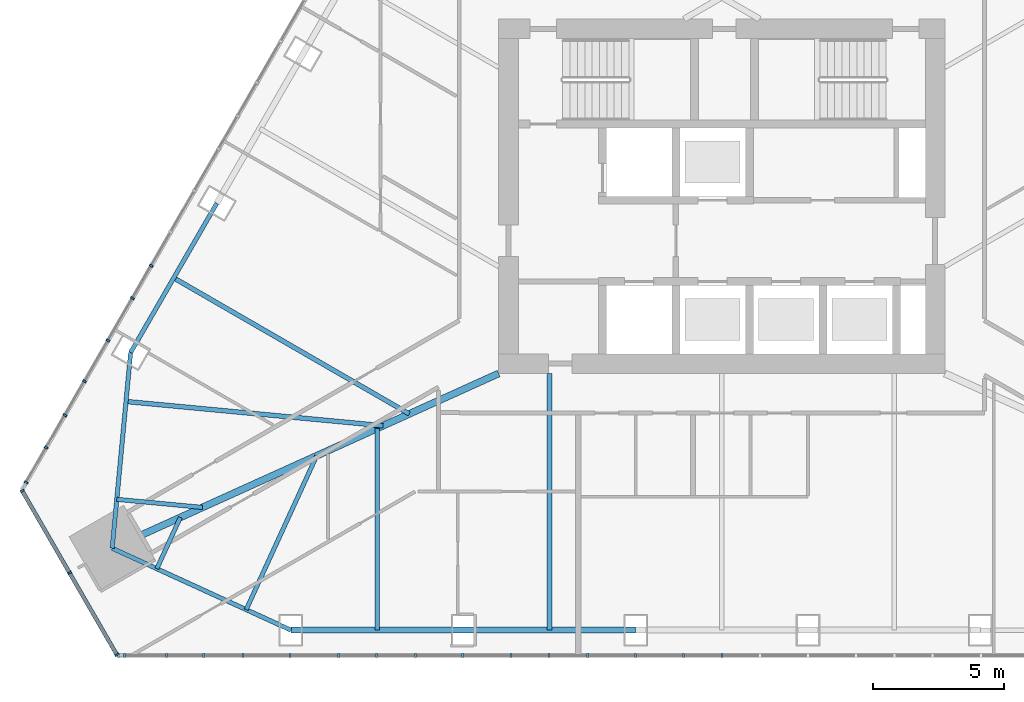
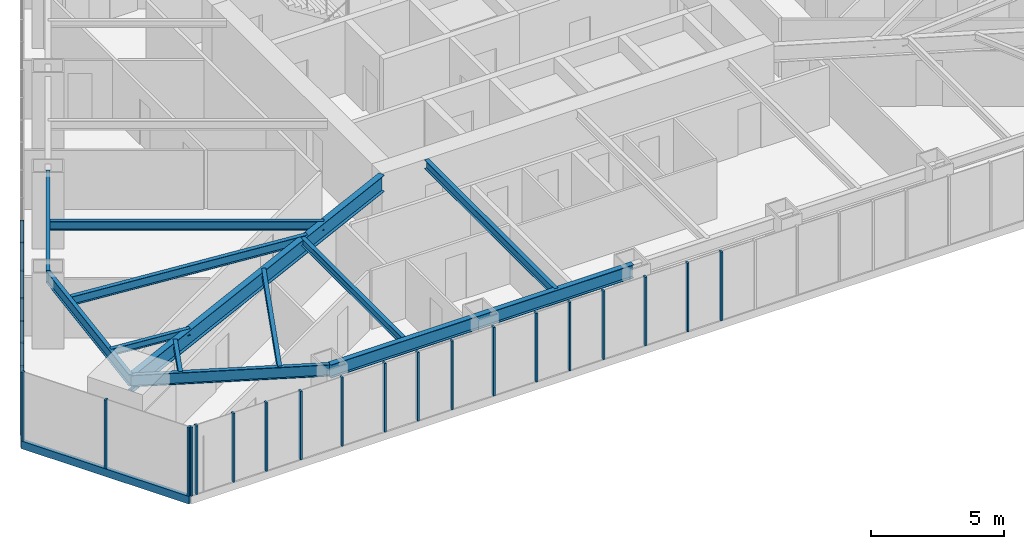
# One storey, part 2 of 21: 27 members, 12 beams, 3 elements without a shape of their own.
"""IFC4 building model written with IfcOpenShell, lengths in metres."""

import ifcopenshell
import ifcopenshell.guid

model = None  # the IFC model being written
_history = None  # IfcOwnerHistory: only IFC2X3 demands one
_inside = {}  # id of a spatial element -> (the spatial element, [elements in it])
_under = {}  # id of a project, library or spatial element -> (it, [spatial elements below it])
_declared = {}  # id of a project -> (the project, [libraries it declares])
_typed = {}  # id of a type object -> (the type object, [elements of that type])
_made_of = {}  # id of a material, layer set ... -> (it, [elements and type objects made of it])


def new_model(schema):
    """Start an empty IFC model of exactly this schema.

    Asked for "IFC4X3", IfcOpenShell would pick the latest addendum, in which some entities
    have other attributes; the version numbers below select the first issue.
    IFC2X3 requires an IfcOwnerHistory on every rooted entity: one is made here for all.
    """
    global model, _history
    if schema == "IFC4X3":
        model = ifcopenshell.file(schema_version=(4, 3, 0, 0))
    else:
        model = ifcopenshell.file(schema=schema)
    _inside.clear()
    _under.clear()
    _declared.clear()
    _typed.clear()
    _made_of.clear()
    _history = None
    if model.schema == "IFC2X3":
        org = make("IfcOrganization", Name="unknown")
        user = make(
            "IfcPersonAndOrganization",
            ThePerson=make("IfcPerson", FamilyName="unknown"),
            TheOrganization=org,
        )
        app = make(
            "IfcApplication",
            ApplicationDeveloper=org,
            Version="unknown",
            ApplicationFullName="unknown",
            ApplicationIdentifier="unknown",
        )
        _history = make(
            "IfcOwnerHistory",
            OwningUser=user,
            OwningApplication=app,
            ChangeAction="ADDED",
            CreationDate=0,
        )
    return model


def make(cls, **values):
    """One entity of the class cls with the attributes given. An attribute that is None is left unset."""
    return model.create_entity(
        cls, **{name: value for name, value in values.items() if value is not None}
    )


def rooted(cls, **values):
    """An entity with a GlobalId (a new one), such as an element, a storey or a relation."""
    return make(cls, GlobalId=ifcopenshell.guid.new(), OwnerHistory=_history, **values)


def si_unit(unit_type, name, prefix=None):
    """IfcSIUnit, for example si_unit("LENGTHUNIT", "METRE", prefix="MILLI")."""
    return make("IfcSIUnit", UnitType=unit_type, Prefix=prefix, Name=name)


def assignment(units):
    """IfcUnitAssignment: the units of a project."""
    return None if units is None else make("IfcUnitAssignment", Units=units)


def point(xyz):
    """IfcCartesianPoint."""
    return None if xyz is None else make("IfcCartesianPoint", Coordinates=xyz)


def direction(xyz):
    """IfcDirection."""
    return None if xyz is None else make("IfcDirection", DirectionRatios=xyz)


def frame(location, z_axis=None, x_axis=None):
    """IfcAxis2Placement3D, a coordinate frame: its origin and axes. An axis left out is left unset."""
    return make(
        "IfcAxis2Placement3D",
        Location=point(location),
        Axis=direction(z_axis),
        RefDirection=direction(x_axis),
    )


def frame_2d(location, x_axis=None):
    """IfcAxis2Placement2D, a coordinate frame in the plane: its origin and x axis."""
    return make(
        "IfcAxis2Placement2D", Location=point(location), RefDirection=direction(x_axis)
    )


def origin():
    """The frame at (0, 0, 0) with its axes left unset."""
    return frame((0.0, 0.0, 0.0))


def origin_2d():
    """The frame at (0, 0) in the plane with its x axis left unset."""
    return frame_2d((0.0, 0.0))


def place(relative_to, where):
    """IfcLocalPlacement: puts the frame where relative to a parent placement (None: the world)."""
    return make(
        "IfcLocalPlacement", PlacementRelTo=relative_to, RelativePlacement=where
    )


def context(
    kind, dimensions, precision=None, world=None, true_north=None, identifier=None
):
    """IfcGeometricRepresentationContext, for example the 3D "Model" context."""
    return make(
        "IfcGeometricRepresentationContext",
        ContextIdentifier=identifier,
        ContextType=kind,
        CoordinateSpaceDimension=dimensions,
        Precision=precision,
        WorldCoordinateSystem=world,
        TrueNorth=true_north,
    )


def subcontext(parent, identifier, kind, view, scale=None):
    """IfcGeometricRepresentationSubContext, for example "Body" below "Model"."""
    return make(
        "IfcGeometricRepresentationSubContext",
        ContextIdentifier=identifier,
        ContextType=kind,
        ParentContext=parent,
        TargetScale=scale,
        TargetView=view,
    )


def project(units=None, contexts=None):
    """IfcProject with its units and contexts."""
    return rooted(
        "IfcProject",
        Name="project",
        RepresentationContexts=contexts,
        UnitsInContext=assignment(units),
    )


def spatial(cls, under=None, at=None, **own):
    """A site, building, storey or space (cls), placed at a placement, below another one or the project."""
    s = rooted(cls, ObjectPlacement=at, **own)
    if under is not None:
        _under.setdefault(under.id(), (under, []))[1].append(s)
    return s


def profile(cls, at=None, kind="AREA", **sizes):
    """A parametric profile (cls). Its sizes go by their IFC names, for example OverallWidth=200.0."""
    return make(cls, ProfileType=kind, Position=at, **sizes)


def rectangle(**sizes):
    """IfcRectangleProfileDef."""
    return profile("IfcRectangleProfileDef", **sizes)


def i_section(**sizes):
    """IfcIShapeProfileDef."""
    return profile("IfcIShapeProfileDef", **sizes)


def extrude(swept, where, along, depth):
    """IfcExtrudedAreaSolid: the profile swept, set in the frame where, extruded along a direction by depth."""
    return make(
        "IfcExtrudedAreaSolid",
        SweptArea=swept,
        Position=where,
        ExtrudedDirection=direction(along),
        Depth=depth,
    )


def shape(context_of_items, identifier, shape_type, items):
    """IfcShapeRepresentation: the items that make up one representation, for example the "Body"."""
    return make(
        "IfcShapeRepresentation",
        ContextOfItems=context_of_items,
        RepresentationIdentifier=identifier,
        RepresentationType=shape_type,
        Items=items,
    )


def material(Name=None, Category=None):
    """IfcMaterial."""
    return make("IfcMaterial", Name=Name, Category=Category)


def layer(
    of_material, thickness, ventilated=None, Name=None, Category=None, Priority=None
):
    """IfcMaterialLayer: one layer of a wall or slab, of a material (None: an air gap)."""
    return make(
        "IfcMaterialLayer",
        Material=of_material,
        LayerThickness=thickness,
        IsVentilated=ventilated,
        Name=Name,
        Category=Category,
        Priority=Priority,
    )


def layer_set(layers, Name=None):
    """IfcMaterialLayerSet."""
    return make("IfcMaterialLayerSet", MaterialLayers=layers, LayerSetName=Name)


def material_profile(
    of_material, cross_section, Name=None, Category=None, Priority=None
):
    """IfcMaterialProfile: a cross section and its material."""
    return make(
        "IfcMaterialProfile",
        Name=Name,
        Material=of_material,
        Profile=cross_section,
        Priority=Priority,
        Category=Category,
    )


def profile_set(profiles, Name=None, composite=None):
    """IfcMaterialProfileSet."""
    return make(
        "IfcMaterialProfileSet",
        Name=Name,
        MaterialProfiles=profiles,
        CompositeProfile=composite,
    )


def made_of(thing, what):
    """Note that an element or type object is made of a material, layer set ...; save() writes the relation."""
    if what is not None:
        _made_of.setdefault(what.id(), (what, []))[1].append(thing)
    return thing


def type_object(cls, material=None, **own):
    """A type object (cls), such as IfcWallType, which elements share."""
    return made_of(rooted(cls, **own), material)


def element(
    cls,
    number,
    at=None,
    inside=None,
    cuts=None,
    type_object=None,
    material=None,
    context=None,
    identifier="Body",
    shape_type=None,
    held_by="IfcProductDefinitionShape",
    body=None,
    shapes=None,
    **own,
):
    """One element of the class cls, such as IfcWall. Its Tag is "e" and its number.

    at: its placement. inside: the storey or other place that contains it. cuts: it is an
    opening in that element (IfcRelVoidsElement). A single representation is given by context,
    identifier, shape_type and body (its items); several are given by shapes. held_by: the class
    of the entity that holds the representations. save() writes the other relations.
    """
    e = rooted(cls, Tag="e%d" % number, ObjectPlacement=at, **own)
    if body is not None:
        shapes = [shape(context, identifier, shape_type, body)]
    if shapes is not None:
        e.Representation = make(held_by, Representations=shapes)
    if inside is not None:
        _inside.setdefault(inside.id(), (inside, []))[1].append(e)
    if cuts is not None:
        rooted(
            "IfcRelVoidsElement", RelatingBuildingElement=cuts, RelatedOpeningElement=e
        )
    if type_object is not None:
        _typed.setdefault(type_object.id(), (type_object, []))[1].append(e)
    return made_of(e, material)


def aggregate(whole, parts):
    """IfcRelAggregates: a whole, such as a stair, and the parts it consists of."""
    return rooted("IfcRelAggregates", RelatingObject=whole, RelatedObjects=parts)


def save(model, path):
    """Write the relations noted so far, then the file.

    IfcRelAggregates (storeys below a building ...), IfcRelContainedInSpatialStructure (elements
    in a storey), IfcRelDefinesByType, IfcRelAssociatesMaterial and IfcRelDeclares: one each for
    every whole, place, type object, material and project.
    """
    for whole, parts in _under.values():
        aggregate(whole, parts)
    for where, things in _inside.values():
        rooted(
            "IfcRelContainedInSpatialStructure",
            RelatedElements=things,
            RelatingStructure=where,
        )
    for kind, things in _typed.values():
        rooted("IfcRelDefinesByType", RelatedObjects=things, RelatingType=kind)
    for what, things in _made_of.values():
        rooted("IfcRelAssociatesMaterial", RelatedObjects=things, RelatingMaterial=what)
    for by, libraries in _declared.values():
        rooted("IfcRelDeclares", RelatingContext=by, RelatedDefinitions=libraries)
    model.write(path)


model = new_model("IFC4")

# Units and contexts
model_context = context("Model", 3, precision=1e-05, world=origin(), true_north=direction((0.0, 1.0)))
body_context = subcontext(model_context, "Body", "Model", "MODEL_VIEW")
ifc_project = project(units=[si_unit("LENGTHUNIT", "METRE"), si_unit("AREAUNIT", "SQUARE_METRE"), si_unit("VOLUMEUNIT", "CUBIC_METRE"), si_unit("PLANEANGLEUNIT", "RADIAN"), si_unit("MASSUNIT", "GRAM", prefix="KILO")], contexts=[model_context])

# Site, building, storey
site_placement = place(None, origin())
site = spatial("IfcSite", under=ifc_project, at=site_placement, CompositionType="ELEMENT")
building_placement = place(site_placement, origin())
building = spatial("IfcBuilding", under=site, at=building_placement, Name="Firuza Gate Tower and Library", CompositionType="ELEMENT")
storey_placement = place(building_placement, frame((0.0, 0.0, 274.10009765625)))
storey = spatial("IfcBuildingStorey", under=building, at=storey_placement, Name="L65", CompositionType="ELEMENT", Elevation=274.10009765625)

# Curtain wall, members
ifc_material_1 = material(Name="Aluminium 6063-T6", Category="aluminium")
ifc_layer_1 = layer(ifc_material_1, 0.14990234375)
ifc_layer_set_1 = layer_set([ifc_layer_1], Name="Unitised curtain wall, residences")
curtain_wall_type_1 = type_object("IfcCurtainWallType", Name="Unitised curtain wall, residences", PredefinedType="NOTDEFINED", material=ifc_layer_set_1)
placement = place(storey_placement, origin())
curtain_wall_1 = element("IfcCurtainWall", 1, at=placement, inside=storey, type_object=curtain_wall_type_1, Name="CW3 L65 S face", PredefinedType="NOTDEFINED")
ifc_material_2 = material(Name="Aluminium 6063-T6", Category="aluminium")
ifc_material_profile_1 = material_profile(ifc_material_2, rectangle(XDim=0.14990234375, YDim=0.080078125, at=origin_2d()))
ifc_profile_set_1 = profile_set([ifc_material_profile_1], Name="Aluminium 6063-T6")
member_type_1 = type_object("IfcMemberType", Name="Curtain wall mullion 80x150", PredefinedType="MULLION", material=ifc_profile_set_1)
member_1_placement = place(storey_placement, frame((52.01806640625, 57.501220703125, 0.14990234375), z_axis=(0.0, 0.0, 1.0), x_axis=(0.0, 1.0, 0.0)))
member_1 = element("IfcMember", 2, at=member_1_placement, type_object=member_type_1, Name="Mullion", PredefinedType="MULLION", context=body_context, shape_type="SweptSolid", body=[
    extrude(rectangle(XDim=0.14990234375, YDim=0.080078125, at=origin_2d()), origin(), (0.0, 0.0, 1.0), 3.14990234375),
])
member_2_placement = place(storey_placement, frame((55.266845703125, 57.501220703125, 0.14990234375), z_axis=(0.0, 0.0, 1.0), x_axis=(0.0, 1.0, 0.0)))
member_2 = element("IfcMember", 3, at=member_2_placement, type_object=member_type_1, Name="Mullion", PredefinedType="MULLION", context=body_context, shape_type="SweptSolid", body=[
    extrude(rectangle(XDim=0.14990234375, YDim=0.080078125, at=origin_2d()), origin(), (0.0, 0.0, 1.0), 3.14990234375),
])
member_3_placement = place(storey_placement, frame((58.5556640625, 57.501220703125, 0.14990234375), z_axis=(0.0, 0.0, 1.0), x_axis=(0.0, 1.0, 0.0)))
member_3 = element("IfcMember", 4, at=member_3_placement, type_object=member_type_1, Name="Mullion", PredefinedType="MULLION", context=body_context, shape_type="SweptSolid", body=[
    extrude(rectangle(XDim=0.14990234375, YDim=0.080078125, at=origin_2d()), origin(), (0.0, 0.0, 1.0), 3.14990234375),
])
member_4_placement = place(storey_placement, frame((61.844482421875, 57.501220703125, 0.14990234375), z_axis=(0.0, 0.0, 1.0), x_axis=(0.0, 1.0, 0.0)))
member_4 = element("IfcMember", 5, at=member_4_placement, type_object=member_type_1, Name="Mullion", PredefinedType="MULLION", context=body_context, shape_type="SweptSolid", body=[
    extrude(rectangle(XDim=0.14990234375, YDim=0.080078125, at=origin_2d()), origin(), (0.0, 0.0, 1.0), 3.14990234375),
])
member_5_placement = place(storey_placement, frame((65.133544921875, 57.501220703125, 0.14990234375), z_axis=(0.0, 0.0, 1.0), x_axis=(0.0, 1.0, 0.0)))
member_5 = element("IfcMember", 6, at=member_5_placement, type_object=member_type_1, Name="Mullion", PredefinedType="MULLION", context=body_context, shape_type="SweptSolid", body=[
    extrude(rectangle(XDim=0.14990234375, YDim=0.080078125, at=origin_2d()), origin(), (0.0, 0.0, 1.0), 3.14990234375),
])
member_6_placement = place(storey_placement, frame((68.42236328125, 57.501220703125, 0.14990234375), z_axis=(0.0, 0.0, 1.0), x_axis=(0.0, 1.0, 0.0)))
member_6 = element("IfcMember", 7, at=member_6_placement, type_object=member_type_1, Name="Mullion", PredefinedType="MULLION", context=body_context, shape_type="SweptSolid", body=[
    extrude(rectangle(XDim=0.14990234375, YDim=0.080078125, at=origin_2d()), origin(), (0.0, 0.0, 1.0), 3.14990234375),
])
member_7_placement = place(storey_placement, frame((71.711181640625, 57.501220703125, 0.14990234375), z_axis=(0.0, 0.0, 1.0), x_axis=(0.0, 1.0, 0.0)))
member_7 = element("IfcMember", 8, at=member_7_placement, type_object=member_type_1, Name="Mullion", PredefinedType="MULLION", context=body_context, shape_type="SweptSolid", body=[
    extrude(rectangle(XDim=0.14990234375, YDim=0.080078125, at=origin_2d()), origin(), (0.0, 0.0, 1.0), 3.14990234375),
])
member_8_placement = place(storey_placement, frame((75.0, 57.501220703125, 0.14990234375), z_axis=(0.0, 0.0, 1.0), x_axis=(0.0, 1.0, 0.0)))
member_8 = element("IfcMember", 9, at=member_8_placement, type_object=member_type_1, Name="Mullion", PredefinedType="MULLION", context=body_context, shape_type="SweptSolid", body=[
    extrude(rectangle(XDim=0.14990234375, YDim=0.080078125, at=origin_2d()), origin(), (0.0, 0.0, 1.0), 3.14990234375),
])
member_9_placement = place(storey_placement, frame((52.244140625, 57.501220703125, 0.14990234375), z_axis=(0.0, 0.0, 1.0), x_axis=(0.0, 1.0, 0.0)))
member_9 = element("IfcMember", 10, at=member_9_placement, type_object=member_type_1, Name="Mullion", PredefinedType="MULLION", context=body_context, shape_type="SweptSolid", body=[
    extrude(rectangle(XDim=0.14990234375, YDim=0.080078125, at=origin_2d()), origin(), (0.0, 0.0, 1.0), 3.14990234375),
])
member_10_placement = place(storey_placement, frame((53.845703125, 57.501220703125, 0.14990234375), z_axis=(0.0, 0.0, 1.0), x_axis=(0.0, 1.0, 0.0)))
member_10 = element("IfcMember", 11, at=member_10_placement, type_object=member_type_1, Name="Mullion", PredefinedType="MULLION", context=body_context, shape_type="SweptSolid", body=[
    extrude(rectangle(XDim=0.14990234375, YDim=0.080078125, at=origin_2d()), origin(), (0.0, 0.0, 1.0), 3.14990234375),
])
member_11_placement = place(storey_placement, frame((56.76220703125, 57.501220703125, 0.14990234375), z_axis=(0.0, 0.0, 1.0), x_axis=(0.0, 1.0, 0.0)))
member_11 = element("IfcMember", 12, at=member_11_placement, type_object=member_type_1, Name="Mullion", PredefinedType="MULLION", context=body_context, shape_type="SweptSolid", body=[
    extrude(rectangle(XDim=0.14990234375, YDim=0.080078125, at=origin_2d()), origin(), (0.0, 0.0, 1.0), 3.14990234375),
])
member_12_placement = place(storey_placement, frame((60.4111328125, 57.501220703125, 0.14990234375), z_axis=(0.0, 0.0, 1.0), x_axis=(0.0, 1.0, 0.0)))
member_12 = element("IfcMember", 13, at=member_12_placement, type_object=member_type_1, Name="Mullion", PredefinedType="MULLION", context=body_context, shape_type="SweptSolid", body=[
    extrude(rectangle(XDim=0.14990234375, YDim=0.080078125, at=origin_2d()), origin(), (0.0, 0.0, 1.0), 3.14990234375),
])
member_13_placement = place(storey_placement, frame((63.32763671875, 57.501220703125, 0.14990234375), z_axis=(0.0, 0.0, 1.0), x_axis=(0.0, 1.0, 0.0)))
member_13 = element("IfcMember", 14, at=member_13_placement, type_object=member_type_1, Name="Mullion", PredefinedType="MULLION", context=body_context, shape_type="SweptSolid", body=[
    extrude(rectangle(XDim=0.14990234375, YDim=0.080078125, at=origin_2d()), origin(), (0.0, 0.0, 1.0), 3.14990234375),
])
member_14_placement = place(storey_placement, frame((66.9765625, 57.501220703125, 0.14990234375), z_axis=(0.0, 0.0, 1.0), x_axis=(0.0, 1.0, 0.0)))
member_14 = element("IfcMember", 15, at=member_14_placement, type_object=member_type_1, Name="Mullion", PredefinedType="MULLION", context=body_context, shape_type="SweptSolid", body=[
    extrude(rectangle(XDim=0.14990234375, YDim=0.080078125, at=origin_2d()), origin(), (0.0, 0.0, 1.0), 3.14990234375),
])
member_15_placement = place(storey_placement, frame((69.892822265625, 57.501220703125, 0.14990234375), z_axis=(0.0, 0.0, 1.0), x_axis=(0.0, 1.0, 0.0)))
member_15 = element("IfcMember", 16, at=member_15_placement, type_object=member_type_1, Name="Mullion", PredefinedType="MULLION", context=body_context, shape_type="SweptSolid", body=[
    extrude(rectangle(XDim=0.14990234375, YDim=0.080078125, at=origin_2d()), origin(), (0.0, 0.0, 1.0), 3.14990234375),
])
member_16_placement = place(storey_placement, frame((73.541748046875, 57.501220703125, 0.14990234375), z_axis=(0.0, 0.0, 1.0), x_axis=(0.0, 1.0, 0.0)))
member_16 = element("IfcMember", 17, at=member_16_placement, type_object=member_type_1, Name="Mullion", PredefinedType="MULLION", context=body_context, shape_type="SweptSolid", body=[
    extrude(rectangle(XDim=0.14990234375, YDim=0.080078125, at=origin_2d()), origin(), (0.0, 0.0, 1.0), 3.14990234375),
])
aggregate(curtain_wall_1, [member_1, member_2, member_3, member_4, member_5, member_6, member_7, member_8, member_9, member_10, member_11, member_12, member_13, member_14, member_15, member_16])

curtain_wall_2 = element("IfcCurtainWall", 18, at=placement, inside=storey, type_object=curtain_wall_type_1, Name="CW3 L65 W face", PredefinedType="NOTDEFINED")
member_17_placement = place(storey_placement, frame((53.26806640625, 72.3564453125, 0.14990234375), z_axis=(0.0, 0.0, 1.0), x_axis=(0.866025403784, -0.5, 0.0)))
member_17 = element("IfcMember", 19, at=member_17_placement, type_object=member_type_1, Name="Mullion", PredefinedType="MULLION", context=body_context, shape_type="SweptSolid", body=[
    extrude(rectangle(XDim=0.14990234375, YDim=0.080078125, at=origin_2d()), origin(), (0.0, 0.0, 1.0), 3.14990234375),
])
member_18_placement = place(storey_placement, frame((51.62353515625, 69.50830078125, 0.14990234375), z_axis=(0.0, 0.0, 1.0), x_axis=(0.866025403784, -0.5, 0.0)))
member_18 = element("IfcMember", 20, at=member_18_placement, type_object=member_type_1, Name="Mullion", PredefinedType="MULLION", context=body_context, shape_type="SweptSolid", body=[
    extrude(rectangle(XDim=0.14990234375, YDim=0.080078125, at=origin_2d()), origin(), (0.0, 0.0, 1.0), 3.14990234375),
])
member_19_placement = place(storey_placement, frame((49.979248046875, 66.659912109375, 0.14990234375), z_axis=(0.0, 0.0, 1.0), x_axis=(0.866025403784, -0.5, 0.0)))
member_19 = element("IfcMember", 21, at=member_19_placement, type_object=member_type_1, Name="Mullion", PredefinedType="MULLION", context=body_context, shape_type="SweptSolid", body=[
    extrude(rectangle(XDim=0.14990234375, YDim=0.080078125, at=origin_2d()), origin(), (0.0, 0.0, 1.0), 3.14990234375),
])
member_20_placement = place(storey_placement, frame((52.55126953125, 71.114990234375, 0.14990234375), z_axis=(0.0, 0.0, 1.0), x_axis=(0.866025403784, -0.5, 0.0)))
member_20 = element("IfcMember", 22, at=member_20_placement, type_object=member_type_1, Name="Mullion", PredefinedType="MULLION", context=body_context, shape_type="SweptSolid", body=[
    extrude(rectangle(XDim=0.14990234375, YDim=0.080078125, at=origin_2d()), origin(), (0.0, 0.0, 1.0), 3.14990234375),
])
member_21_placement = place(storey_placement, frame((50.726806640625, 67.954833984375, 0.14990234375), z_axis=(0.0, 0.0, 1.0), x_axis=(0.866025403784, -0.5, 0.0)))
member_21 = element("IfcMember", 23, at=member_21_placement, type_object=member_type_1, Name="Mullion", PredefinedType="MULLION", context=body_context, shape_type="SweptSolid", body=[
    extrude(rectangle(XDim=0.14990234375, YDim=0.080078125, at=origin_2d()), origin(), (0.0, 0.0, 1.0), 3.14990234375),
])
member_22_placement = place(storey_placement, frame((49.2685546875, 65.42919921875, 0.14990234375), z_axis=(0.0, 0.0, 1.0), x_axis=(0.866025403784, -0.5, 0.0)))
member_22 = element("IfcMember", 24, at=member_22_placement, type_object=member_type_1, Name="Mullion", PredefinedType="MULLION", context=body_context, shape_type="SweptSolid", body=[
    extrude(rectangle(XDim=0.14990234375, YDim=0.080078125, at=origin_2d()), origin(), (0.0, 0.0, 1.0), 3.14990234375),
])
member_23_placement = place(storey_placement, frame((48.500244140625, 64.0986328125, 0.14990234375), z_axis=(0.0, 0.0, 1.0), x_axis=(0.866025403784, -0.5, 0.0)))
member_23 = element("IfcMember", 25, at=member_23_placement, type_object=member_type_1, Name="Mullion", PredefinedType="MULLION", context=body_context, shape_type="SweptSolid", body=[
    extrude(rectangle(XDim=0.14990234375, YDim=0.080078125, at=origin_2d()), origin(), (0.0, 0.0, 1.0), 3.14990234375),
])
aggregate(curtain_wall_2, [member_17, member_18, member_19, member_20, member_21, member_22, member_23])

ifc_material_3 = material(Name="Aluminium 6063-T6", Category="aluminium")
ifc_layer_2 = layer(ifc_material_3, 0.14990234375)
ifc_layer_set_2 = layer_set([ifc_layer_2], Name="Corner curtain wall, chamfers")
curtain_wall_type_2 = type_object("IfcCurtainWallType", Name="Corner curtain wall, chamfers", PredefinedType="NOTDEFINED", material=ifc_layer_set_2)
curtain_wall_3 = element("IfcCurtainWall", 26, at=placement, inside=storey, type_object=curtain_wall_type_2, Name="CW4 L65 SW corner", PredefinedType="NOTDEFINED")
member_24_placement = place(storey_placement, frame((48.354736328125, 63.777099609375, 0.14990234375), z_axis=(0.0, 0.0, 1.0), x_axis=(0.866025403784, 0.5, 0.0)))
member_24 = element("IfcMember", 27, at=member_24_placement, type_object=member_type_1, Name="Mullion", PredefinedType="MULLION", context=body_context, shape_type="SweptSolid", body=[
    extrude(rectangle(XDim=0.14990234375, YDim=0.080078125, at=origin_2d()), origin(), (0.0, 0.0, 1.0), 3.14990234375),
])
member_25_placement = place(storey_placement, frame((50.156494140625, 60.656494140625, 0.14990234375), z_axis=(0.0, 0.0, 1.0), x_axis=(0.866025403784, 0.5, 0.0)))
member_25 = element("IfcMember", 28, at=member_25_placement, type_object=member_type_1, Name="Mullion", PredefinedType="MULLION", context=body_context, shape_type="SweptSolid", body=[
    extrude(rectangle(XDim=0.14990234375, YDim=0.080078125, at=origin_2d()), origin(), (0.0, 0.0, 1.0), 3.14990234375),
])
member_26_placement = place(storey_placement, frame((51.9580078125, 57.535888671875, 0.14990234375), z_axis=(0.0, 0.0, 1.0), x_axis=(0.866025403784, 0.5, 0.0)))
member_26 = element("IfcMember", 29, at=member_26_placement, type_object=member_type_1, Name="Mullion", PredefinedType="MULLION", context=body_context, shape_type="SweptSolid", body=[
    extrude(rectangle(XDim=0.14990234375, YDim=0.080078125, at=origin_2d()), origin(), (0.0, 0.0, 1.0), 3.14990234375),
])
ifc_material_4 = material(Name="Aluminium 6063-T6", Category="aluminium")
ifc_material_profile_2 = material_profile(ifc_material_4, rectangle(XDim=0.14990234375, YDim=0.35009765625, at=origin_2d()))
ifc_profile_set_2 = profile_set([ifc_material_profile_2], Name="Aluminium 6063-T6")
member_type_2 = type_object("IfcMemberType", Name="Curtain wall transom 350x150", PredefinedType="USERDEFINED", material=ifc_profile_set_2)
member_27_placement = place(storey_placement, frame((48.334716796875, 63.811767578125, -0.025146484375), z_axis=(0.499991211061, -0.866030478021, 0.0), x_axis=(0.866030478021, 0.499991211061, 0.0)))
member_27 = element("IfcMember", 30, at=member_27_placement, type_object=member_type_2, Name="Transom", ObjectType="TRANSOM", PredefinedType="USERDEFINED", context=body_context, shape_type="SweptSolid", body=[
    extrude(rectangle(XDim=0.14990234375, YDim=0.35009765625, at=origin_2d()), origin(), (0.0, 0.0, 1.0), 7.286865234375),
])
aggregate(curtain_wall_3, [member_24, member_25, member_26, member_27])

# Beams
ifc_material_5 = material(Name="Steel S355", Category="steel")
ifc_material_profile_3 = material_profile(ifc_material_5, i_section(OverallWidth=0.1650390625, OverallDepth=0.31005859375, WebThickness=0.005859375, FlangeThickness=0.009765625, at=origin_2d()))
ifc_profile_set_3 = profile_set([ifc_material_profile_3], Name="Steel S355")
beam_type_1 = type_object("IfcBeamType", Name="W310x39 Floor beam", PredefinedType="JOIST", material=ifc_profile_set_3)
beam_1_placement = place(storey_placement, frame((51.9560546875, 63.457275390625, 3.14501953125), z_axis=(0.995581079201, -0.09390588233, 0.0), x_axis=(0.09390588233, 0.995581079201, 0.0)))
element("IfcBeam", 31, at=beam_1_placement, inside=storey, type_object=beam_type_1, Name="Floor beam L65 s01", PredefinedType="JOIST", context=body_context, shape_type="SweptSolid", body=[
    extrude(i_section(OverallWidth=0.1650390625, OverallDepth=0.31005859375, WebThickness=0.005859375, FlangeThickness=0.009765625, at=origin_2d()), origin(), (0.0, 0.0, 1.0), 3.2783203125),
])
beam_2_placement = place(storey_placement, frame((53.481689453125, 60.814697265625, 3.14501953125), z_axis=(0.416455154512, 0.909156259551, 0.0), x_axis=(-0.909156259551, 0.416455154512, 0.0)))
element("IfcBeam", 32, at=beam_2_placement, inside=storey, type_object=beam_type_1, Name="Floor beam L65 s10", PredefinedType="JOIST", context=body_context, shape_type="SweptSolid", body=[
    extrude(i_section(OverallWidth=0.1650390625, OverallDepth=0.31005859375, WebThickness=0.005859375, FlangeThickness=0.009765625, at=origin_2d()), origin(), (0.0, 0.0, 1.0), 2.1484375),
])
beam_3_placement = place(storey_placement, frame((56.885009765625, 59.255859375, 3.14501953125), z_axis=(0.416440813943, 0.909162828366, 0.0), x_axis=(-0.909162828366, 0.416440813943, 0.0)))
element("IfcBeam", 33, at=beam_3_placement, inside=storey, type_object=beam_type_1, Name="Floor beam L65 s11", PredefinedType="JOIST", context=body_context, shape_type="SweptSolid", body=[
    extrude(i_section(OverallWidth=0.1650390625, OverallDepth=0.31005859375, WebThickness=0.005859375, FlangeThickness=0.009765625, at=origin_2d()), origin(), (0.0, 0.0, 1.0), 6.44580078125),
])
ifc_material_6 = material(Name="Steel S355", Category="steel")
ifc_material_profile_4 = material_profile(ifc_material_6, i_section(OverallWidth=0.1708984375, OverallDepth=0.35498046875, WebThickness=0.007080078125, FlangeThickness=0.01171875, at=origin_2d()))
ifc_profile_set_4 = profile_set([ifc_material_profile_4], Name="Steel S355")
beam_type_2 = type_object("IfcBeamType", Name="W360x51 Floor beam", PredefinedType="JOIST", material=ifc_profile_set_4)
beam_4_placement = place(storey_placement, frame((61.869384765625, 58.476318359375, 3.122314453125), z_axis=(0.0, 1.0, 0.0), x_axis=(-1.0, 0.0, 0.0)))
element("IfcBeam", 34, at=beam_4_placement, inside=storey, type_object=beam_type_2, Name="Floor beam L65 s20", PredefinedType="JOIST", context=body_context, shape_type="SweptSolid", body=[
    extrude(i_section(OverallWidth=0.1708984375, OverallDepth=0.35498046875, WebThickness=0.007080078125, FlangeThickness=0.01171875, at=origin_2d()), origin(), (0.0, 0.0, 1.0), 7.6796875),
])
ifc_material_7 = material(Name="Steel S355", Category="steel")
ifc_material_profile_5 = material_profile(ifc_material_7, i_section(OverallWidth=0.177978515625, OverallDepth=0.406982421875, WebThickness=0.0078125, FlangeThickness=0.0126953125, at=origin_2d()))
ifc_profile_set_5 = profile_set([ifc_material_profile_5], Name="Steel S355")
beam_type_3 = type_object("IfcBeamType", Name="W410x60 Floor beam", PredefinedType="JOIST", material=ifc_profile_set_5)
beam_5_placement = place(storey_placement, frame((52.3076171875, 67.18408203125, 3.096435546875), z_axis=(0.99557897717, -0.093928165194, 0.0), x_axis=(0.093928165194, 0.99557897717, 0.0)))
element("IfcBeam", 35, at=beam_5_placement, inside=storey, type_object=beam_type_3, Name="Floor beam L65 s00", PredefinedType="JOIST", context=body_context, shape_type="SweptSolid", body=[
    extrude(i_section(OverallWidth=0.177978515625, OverallDepth=0.406982421875, WebThickness=0.0078125, FlangeThickness=0.0126953125, at=origin_2d()), origin(), (0.0, 0.0, 1.0), 9.83544921875),
])
beam_6_placement = place(storey_placement, frame((68.4345703125, 58.476318359375, 3.096435546875), z_axis=(0.0, 1.0, 0.0), x_axis=(-1.0, 0.0, 0.0)))
element("IfcBeam", 36, at=beam_6_placement, inside=storey, type_object=beam_type_3, Name="Floor beam L65 s21", PredefinedType="JOIST", context=body_context, shape_type="SweptSolid", body=[
    extrude(i_section(OverallWidth=0.177978515625, OverallDepth=0.406982421875, WebThickness=0.0078125, FlangeThickness=0.0126953125, at=origin_2d()), origin(), (0.0, 0.0, 1.0), 9.773681640625),
])
beam_7_placement = place(storey_placement, frame((54.124755859375, 71.890380859375, 3.096435546875), z_axis=(0.866018392704, -0.500012143352, 0.0), x_axis=(0.500012143352, 0.866018392704, 0.0)))
element("IfcBeam", 37, at=beam_7_placement, inside=storey, type_object=beam_type_3, Name="Floor beam L65 s84", PredefinedType="JOIST", context=body_context, shape_type="SweptSolid", body=[
    extrude(i_section(OverallWidth=0.177978515625, OverallDepth=0.406982421875, WebThickness=0.0078125, FlangeThickness=0.0126953125, at=origin_2d()), origin(), (0.0, 0.0, 1.0), 10.359130859375),
])
ifc_material_8 = material(Name="Steel S355", Category="steel")
ifc_material_profile_6 = material_profile(ifc_material_8, i_section(OverallWidth=0.166015625, OverallDepth=0.534912109375, WebThickness=0.01025390625, FlangeThickness=0.0166015625, at=origin_2d()))
ifc_profile_set_6 = profile_set([ifc_material_profile_6], Name="Steel S355")
beam_type_4 = type_object("IfcBeamType", Name="W530x85 Edge beam", PredefinedType="SPANDREL", material=ifc_profile_set_6)
beam_8_placement = place(storey_placement, frame((52.4833984375, 69.04736328125, 3.032470703125), z_axis=(-0.093919545229, -0.995579790385, 0.0), x_axis=(0.995579790385, -0.093919545229, 0.0)))
element("IfcBeam", 38, at=beam_8_placement, inside=storey, type_object=beam_type_4, Name="Edge beam L65 e00", PredefinedType="SPANDREL", context=body_context, shape_type="SweptSolid", body=[
    extrude(i_section(OverallWidth=0.166015625, OverallDepth=0.534912109375, WebThickness=0.01025390625, FlangeThickness=0.0166015625, at=origin_2d()), origin(), (0.0, 0.0, 1.0), 7.486572265625),
])
beam_9_placement = place(storey_placement, frame((51.7802734375, 61.593994140625, 3.032470703125), z_axis=(0.909162069669, -0.416442470306, 0.0), x_axis=(0.416442470306, 0.909162069669, 0.0)))
element("IfcBeam", 39, at=beam_9_placement, inside=storey, type_object=beam_type_4, Name="Edge beam L65 e10", PredefinedType="SPANDREL", context=body_context, shape_type="SweptSolid", body=[
    extrude(i_section(OverallWidth=0.166015625, OverallDepth=0.534912109375, WebThickness=0.01025390625, FlangeThickness=0.0166015625, at=origin_2d()), origin(), (0.0, 0.0, 1.0), 7.486328125),
])
beam_10_placement = place(storey_placement, frame((55.76611328125, 74.733154296875, 3.032470703125), z_axis=(-0.500002498361, -0.86602396135, 0.0), x_axis=(0.86602396135, -0.500002498361, 0.0)))
element("IfcBeam", 40, at=beam_10_placement, inside=storey, type_object=beam_type_4, Name="Edge beam L65 e84", PredefinedType="SPANDREL", context=body_context, shape_type="SweptSolid", body=[
    extrude(i_section(OverallWidth=0.166015625, OverallDepth=0.534912109375, WebThickness=0.01025390625, FlangeThickness=0.0166015625, at=origin_2d()), origin(), (0.0, 0.0, 1.0), 6.5654296875),
])
ifc_material_9 = material(Name="Steel S355", Category="steel")
ifc_material_profile_7 = material_profile(ifc_material_9, i_section(OverallWidth=0.22900390625, OverallDepth=0.612060546875, WebThickness=0.011962890625, FlangeThickness=0.01953125, at=origin_2d()))
ifc_profile_set_7 = profile_set([ifc_material_profile_7], Name="Steel S355")
beam_type_5 = type_object("IfcBeamType", Name="W610x125 Edge beam", PredefinedType="SPANDREL", material=ifc_profile_set_7)
beam_11_placement = place(storey_placement, frame((58.586669921875, 58.476318359375, 2.993896484375), z_axis=(1.0, 0.0, 0.0), x_axis=(0.0, 1.0, 0.0)))
element("IfcBeam", 41, at=beam_11_placement, inside=storey, type_object=beam_type_5, Name="Edge beam L65 e20", PredefinedType="SPANDREL", context=body_context, shape_type="SweptSolid", body=[
    extrude(i_section(OverallWidth=0.22900390625, OverallDepth=0.612060546875, WebThickness=0.011962890625, FlangeThickness=0.01953125, at=origin_2d()), origin(), (0.0, 0.0, 1.0), 13.130615234375),
])
ifc_material_10 = material(Name="Steel S355", Category="steel")
ifc_material_profile_8 = material_profile(ifc_material_10, i_section(OverallWidth=0.264892578125, OverallDepth=0.7529296875, WebThickness=0.01318359375, FlangeThickness=0.01708984375, at=origin_2d()))
ifc_profile_set_8 = profile_set([ifc_material_profile_8], Name="Steel S355")
beam_type_6 = type_object("IfcBeamType", Name="W760x147 Girder", PredefinedType="BEAM", material=ifc_profile_set_8)
beam_12_placement = place(storey_placement, frame((51.7802734375, 61.593994140625, 2.92333984375), z_axis=(0.911175743471, 0.412017917705, 0.0), x_axis=(-0.412017917705, 0.911175743471, 0.0)))
element("IfcBeam", 42, at=beam_12_placement, inside=storey, type_object=beam_type_6, Name="Girder L65 gSW", PredefinedType="BEAM", context=body_context, shape_type="SweptSolid", body=[
    extrude(i_section(OverallWidth=0.264892578125, OverallDepth=0.7529296875, WebThickness=0.01318359375, FlangeThickness=0.01708984375, at=origin_2d()), origin(), (0.0, 0.0, 1.0), 16.154541015625),
])

save(model, "model.ifc")
